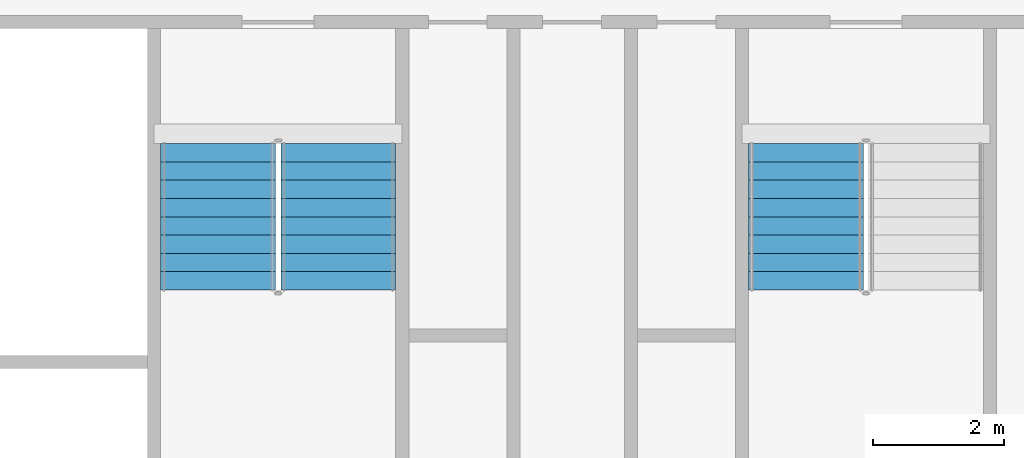
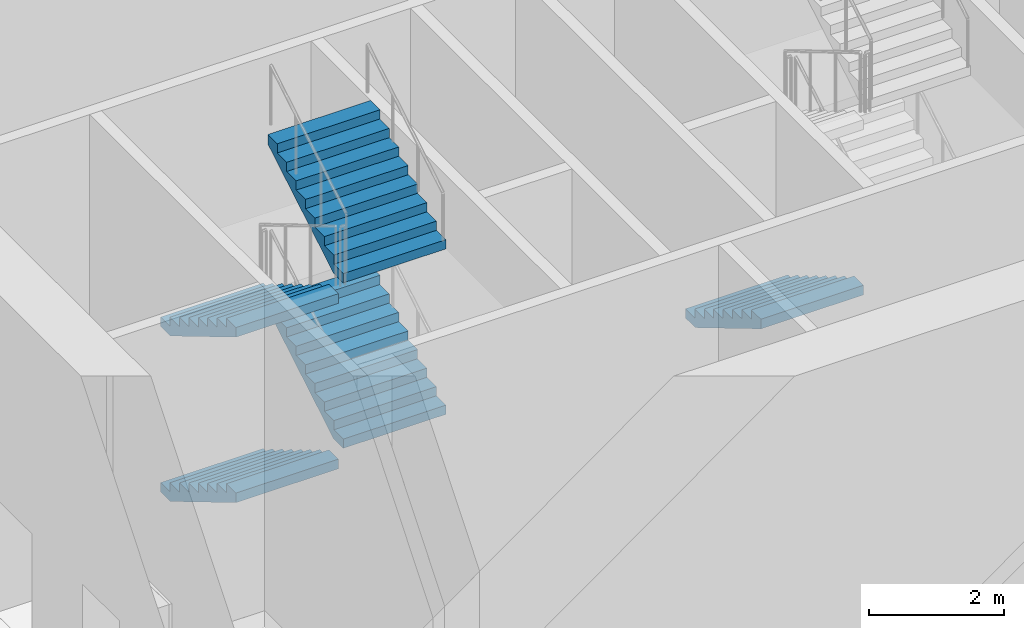
# One storey, part 31 of 48: 5 stair flights, 2 elements without a shape of their own.
"""IFC4 building model written with IfcOpenShell, lengths in metres."""

import ifcopenshell
import ifcopenshell.guid

model = None  # the IFC model being written
_history = None  # IfcOwnerHistory: only IFC2X3 demands one
_inside = {}  # id of a spatial element -> (the spatial element, [elements in it])
_under = {}  # id of a project, library or spatial element -> (it, [spatial elements below it])
_declared = {}  # id of a project -> (the project, [libraries it declares])
_typed = {}  # id of a type object -> (the type object, [elements of that type])
_made_of = {}  # id of a material, layer set ... -> (it, [elements and type objects made of it])


def new_model(schema):
    """Start an empty IFC model of exactly this schema.

    Asked for "IFC4X3", IfcOpenShell would pick the latest addendum, in which some entities
    have other attributes; the version numbers below select the first issue.
    IFC2X3 requires an IfcOwnerHistory on every rooted entity: one is made here for all.
    """
    global model, _history
    if schema == "IFC4X3":
        model = ifcopenshell.file(schema_version=(4, 3, 0, 0))
    else:
        model = ifcopenshell.file(schema=schema)
    _inside.clear()
    _under.clear()
    _declared.clear()
    _typed.clear()
    _made_of.clear()
    _history = None
    if model.schema == "IFC2X3":
        org = make("IfcOrganization", Name="unknown")
        user = make(
            "IfcPersonAndOrganization",
            ThePerson=make("IfcPerson", FamilyName="unknown"),
            TheOrganization=org,
        )
        app = make(
            "IfcApplication",
            ApplicationDeveloper=org,
            Version="unknown",
            ApplicationFullName="unknown",
            ApplicationIdentifier="unknown",
        )
        _history = make(
            "IfcOwnerHistory",
            OwningUser=user,
            OwningApplication=app,
            ChangeAction="ADDED",
            CreationDate=0,
        )
    return model


def make(cls, **values):
    """One entity of the class cls with the attributes given. An attribute that is None is left unset."""
    return model.create_entity(
        cls, **{name: value for name, value in values.items() if value is not None}
    )


def rooted(cls, **values):
    """An entity with a GlobalId (a new one), such as an element, a storey or a relation."""
    return make(cls, GlobalId=ifcopenshell.guid.new(), OwnerHistory=_history, **values)


def si_unit(unit_type, name, prefix=None):
    """IfcSIUnit, for example si_unit("LENGTHUNIT", "METRE", prefix="MILLI")."""
    return make("IfcSIUnit", UnitType=unit_type, Prefix=prefix, Name=name)


def assignment(units):
    """IfcUnitAssignment: the units of a project."""
    return None if units is None else make("IfcUnitAssignment", Units=units)


def point(xyz):
    """IfcCartesianPoint."""
    return None if xyz is None else make("IfcCartesianPoint", Coordinates=xyz)


def direction(xyz):
    """IfcDirection."""
    return None if xyz is None else make("IfcDirection", DirectionRatios=xyz)


def frame(location, z_axis=None, x_axis=None):
    """IfcAxis2Placement3D, a coordinate frame: its origin and axes. An axis left out is left unset."""
    return make(
        "IfcAxis2Placement3D",
        Location=point(location),
        Axis=direction(z_axis),
        RefDirection=direction(x_axis),
    )


def origin():
    """The frame at (0, 0, 0) with its axes left unset."""
    return frame((0.0, 0.0, 0.0))


def place(relative_to, where):
    """IfcLocalPlacement: puts the frame where relative to a parent placement (None: the world)."""
    return make(
        "IfcLocalPlacement", PlacementRelTo=relative_to, RelativePlacement=where
    )


def context(
    kind, dimensions, precision=None, world=None, true_north=None, identifier=None
):
    """IfcGeometricRepresentationContext, for example the 3D "Model" context."""
    return make(
        "IfcGeometricRepresentationContext",
        ContextIdentifier=identifier,
        ContextType=kind,
        CoordinateSpaceDimension=dimensions,
        Precision=precision,
        WorldCoordinateSystem=world,
        TrueNorth=true_north,
    )


def subcontext(parent, identifier, kind, view, scale=None):
    """IfcGeometricRepresentationSubContext, for example "Body" below "Model"."""
    return make(
        "IfcGeometricRepresentationSubContext",
        ContextIdentifier=identifier,
        ContextType=kind,
        ParentContext=parent,
        TargetScale=scale,
        TargetView=view,
    )


def project(units=None, contexts=None):
    """IfcProject with its units and contexts."""
    return rooted(
        "IfcProject",
        Name="project",
        RepresentationContexts=contexts,
        UnitsInContext=assignment(units),
    )


def spatial(cls, under=None, at=None, **own):
    """A site, building, storey or space (cls), placed at a placement, below another one or the project."""
    s = rooted(cls, ObjectPlacement=at, **own)
    if under is not None:
        _under.setdefault(under.id(), (under, []))[1].append(s)
    return s


def faces_of(points, faces, orient=None, outer=None):
    """IfcFace entities. A face is a list of loops; a loop is a list of indices into points, from 0.

    orient and outer hold one flag for each loop. By default every Orientation is true, the
    first loop of a face is its IfcFaceOuterBound and the others are IfcFaceBound.
    """
    made = []
    for i, loops in enumerate(faces):
        bounds = []
        for j, loop in enumerate(loops):
            is_outer = j == 0 if outer is None else outer[i][j]
            bounds.append(
                make(
                    "IfcFaceOuterBound" if is_outer else "IfcFaceBound",
                    Bound=make("IfcPolyLoop", Polygon=[points[k] for k in loop]),
                    Orientation=True if orient is None else orient[i][j],
                )
            )
        made.append(make("IfcFace", Bounds=bounds))
    return made


def faceted_brep(points, faces, orient=None, outer=None, voids=None):
    """IfcFacetedBrep: a solid bounded by flat faces; with voids (closed shells), ...WithVoids."""
    shared = [point(p) for p in points]
    hull = make("IfcClosedShell", CfsFaces=faces_of(shared, faces, orient, outer))
    if voids is None:
        return make("IfcFacetedBrep", Outer=hull)
    return make(
        "IfcFacetedBrepWithVoids",
        Outer=hull,
        Voids=[
            make(cls, CfsFaces=faces_of(shared, fs, o, b)) for cls, fs, o, b in voids
        ],
    )


def shape(context_of_items, identifier, shape_type, items):
    """IfcShapeRepresentation: the items that make up one representation, for example the "Body"."""
    return make(
        "IfcShapeRepresentation",
        ContextOfItems=context_of_items,
        RepresentationIdentifier=identifier,
        RepresentationType=shape_type,
        Items=items,
    )


def material(Name=None, Category=None):
    """IfcMaterial."""
    return make("IfcMaterial", Name=Name, Category=Category)


def made_of(thing, what):
    """Note that an element or type object is made of a material, layer set ...; save() writes the relation."""
    if what is not None:
        _made_of.setdefault(what.id(), (what, []))[1].append(thing)
    return thing


def type_object(cls, material=None, **own):
    """A type object (cls), such as IfcWallType, which elements share."""
    return made_of(rooted(cls, **own), material)


def element(
    cls,
    number,
    at=None,
    inside=None,
    cuts=None,
    type_object=None,
    material=None,
    context=None,
    identifier="Body",
    shape_type=None,
    held_by="IfcProductDefinitionShape",
    body=None,
    shapes=None,
    **own,
):
    """One element of the class cls, such as IfcWall. Its Tag is "e" and its number.

    at: its placement. inside: the storey or other place that contains it. cuts: it is an
    opening in that element (IfcRelVoidsElement). A single representation is given by context,
    identifier, shape_type and body (its items); several are given by shapes. held_by: the class
    of the entity that holds the representations. save() writes the other relations.
    """
    e = rooted(cls, Tag="e%d" % number, ObjectPlacement=at, **own)
    if body is not None:
        shapes = [shape(context, identifier, shape_type, body)]
    if shapes is not None:
        e.Representation = make(held_by, Representations=shapes)
    if inside is not None:
        _inside.setdefault(inside.id(), (inside, []))[1].append(e)
    if cuts is not None:
        rooted(
            "IfcRelVoidsElement", RelatingBuildingElement=cuts, RelatedOpeningElement=e
        )
    if type_object is not None:
        _typed.setdefault(type_object.id(), (type_object, []))[1].append(e)
    return made_of(e, material)


def aggregate(whole, parts):
    """IfcRelAggregates: a whole, such as a stair, and the parts it consists of."""
    return rooted("IfcRelAggregates", RelatingObject=whole, RelatedObjects=parts)


def save(model, path):
    """Write the relations noted so far, then the file.

    IfcRelAggregates (storeys below a building ...), IfcRelContainedInSpatialStructure (elements
    in a storey), IfcRelDefinesByType, IfcRelAssociatesMaterial and IfcRelDeclares: one each for
    every whole, place, type object, material and project.
    """
    for whole, parts in _under.values():
        aggregate(whole, parts)
    for where, things in _inside.values():
        rooted(
            "IfcRelContainedInSpatialStructure",
            RelatedElements=things,
            RelatingStructure=where,
        )
    for kind, things in _typed.values():
        rooted("IfcRelDefinesByType", RelatedObjects=things, RelatingType=kind)
    for what, things in _made_of.values():
        rooted("IfcRelAssociatesMaterial", RelatedObjects=things, RelatingMaterial=what)
    for by, libraries in _declared.values():
        rooted("IfcRelDeclares", RelatingContext=by, RelatedDefinitions=libraries)
    model.write(path)


model = new_model("IFC4")

# Units and contexts
model_context = context("Model", 3, precision=1e-05, world=origin(), true_north=direction((0.0, 1.0)))
body_context = subcontext(model_context, "Body", "Model", "MODEL_VIEW")
ifc_project = project(units=[si_unit("LENGTHUNIT", "METRE"), si_unit("AREAUNIT", "SQUARE_METRE"), si_unit("VOLUMEUNIT", "CUBIC_METRE"), si_unit("PLANEANGLEUNIT", "RADIAN"), si_unit("MASSUNIT", "GRAM", prefix="KILO")], contexts=[model_context])

# Site, building, storey
site_placement = place(None, origin())
site = spatial("IfcSite", under=ifc_project, at=site_placement, CompositionType="ELEMENT")
building_placement = place(site_placement, origin())
building = spatial("IfcBuilding", under=site, at=building_placement, Name="Tarsis Ring Headquarters", CompositionType="ELEMENT")
storey_placement = place(building_placement, frame((0.0, 0.0, 34.0)))
storey = spatial("IfcBuildingStorey", under=building, at=storey_placement, Name="L06", CompositionType="ELEMENT", Elevation=34.0)

# Stair, stair flights
ifc_material_1 = material(Name="Core stair 1760")
stair_type = type_object("IfcStairType", Name="Core stair 1760", PredefinedType="HALF_TURN_STAIR", material=ifc_material_1)
stair_1_placement = place(storey_placement, origin())
stair_1 = element("IfcStair", 1, at=stair_1_placement, inside=storey, type_object=stair_type, Name="L06 Exit stair C", PredefinedType="HALF_TURN_STAIR")
ifc_material_2 = material(Name="Concrete C40/50", Category="concrete")
stair_flight_type = type_object("IfcStairFlightType", Name="Core stair flight 1760", PredefinedType="STRAIGHT", material=ifc_material_2)
stair_flight_1_placement = place(storey_placement, frame((-5.419921875, -3.659912109375, 0.0), z_axis=(0.0, 0.0, 1.0), x_axis=(0.0, -1.0, 0.0)))
stair_flight_1 = element("IfcStairFlight", 2, at=stair_flight_1_placement, type_object=stair_flight_type, Name="Stair ST3 flight 1", NumberOfRisers=9, NumberOfTreads=8, PredefinedType="STRAIGHT", RiserHeight=0.166666667, TreadLength=0.28, context=body_context, shape_type="Brep", body=[
    faceted_brep([(0.0, 0.8798828125, 0.0), (0.0, 0.8798828125, 0.166748046875), (0.280029296875, 0.8798828125, 0.166748046875), (0.280029296875, 0.8798828125, 0.333251953125), (0.56005859375, 0.8798828125, 0.333251953125), (0.56005859375, 0.8798828125, 0.5), (0.840087890625, 0.8798828125, 0.5), (0.840087890625, 0.8798828125, 0.666748046875), (1.1201171875, 0.8798828125, 0.666748046875), (1.1201171875, 0.8798828125, 0.833251953125), (1.39990234375, 0.8798828125, 0.833251953125), (1.39990234375, 0.8798828125, 1.0), (1.679931640625, 0.8798828125, 1.0), (1.679931640625, 0.8798828125, 1.166748046875), (1.9599609375, 0.8798828125, 1.166748046875), (1.9599609375, 0.8798828125, 1.333251953125), (2.239990234375, 0.8798828125, 1.333251953125), (2.239990234375, 0.8798828125, 1.158935546875), (0.29296875, 0.8798828125, 0.0), (0.29296875, -0.8798828125, 0.0), (2.239990234375, -0.8798828125, 1.158935546875), (2.239990234375, -0.8798828125, 1.333251953125), (1.9599609375, -0.8798828125, 1.333251953125), (1.9599609375, -0.8798828125, 1.166748046875), (1.679931640625, -0.8798828125, 1.166748046875), (1.679931640625, -0.8798828125, 1.0), (1.39990234375, -0.8798828125, 1.0), (1.39990234375, -0.8798828125, 0.833251953125), (1.1201171875, -0.8798828125, 0.833251953125), (1.1201171875, -0.8798828125, 0.666748046875), (0.840087890625, -0.8798828125, 0.666748046875), (0.840087890625, -0.8798828125, 0.5), (0.56005859375, -0.8798828125, 0.5), (0.56005859375, -0.8798828125, 0.333251953125), (0.280029296875, -0.8798828125, 0.333251953125), (0.280029296875, -0.8798828125, 0.166748046875), (0.0, -0.8798828125, 0.166748046875), (0.0, -0.8798828125, 0.0), (0.0, -0.43994140625, 0.166748046875), (0.0, -0.43994140625, 0.0), (0.0, 0.0, 0.166748046875), (0.0, 0.0, 0.0), (0.0, 0.43994140625, 0.166748046875), (0.0, 0.43994140625, 0.0), (0.280029296875, -0.43994140625, 0.166748046875), (0.280029296875, 0.0, 0.166748046875), (0.280029296875, 0.43994140625, 0.166748046875), (0.280029296875, -0.43994140625, 0.333251953125), (0.280029296875, 0.0, 0.333251953125), (0.280029296875, 0.43994140625, 0.333251953125), (0.56005859375, -0.43994140625, 0.333251953125), (0.56005859375, 0.0, 0.333251953125), (0.56005859375, 0.43994140625, 0.333251953125), (0.56005859375, -0.43994140625, 0.5), (0.56005859375, 0.0, 0.5), (0.56005859375, 0.43994140625, 0.5), (0.840087890625, -0.43994140625, 0.5), (0.840087890625, 0.0, 0.5), (0.840087890625, 0.43994140625, 0.5), (0.840087890625, -0.43994140625, 0.666748046875), (0.840087890625, 0.0, 0.666748046875), (0.840087890625, 0.43994140625, 0.666748046875), (1.1201171875, -0.43994140625, 0.666748046875), (1.1201171875, 0.0, 0.666748046875), (1.1201171875, 0.43994140625, 0.666748046875), (1.1201171875, -0.43994140625, 0.833251953125), (1.1201171875, 0.0, 0.833251953125), (1.1201171875, 0.43994140625, 0.833251953125), (1.39990234375, -0.43994140625, 0.833251953125), (1.39990234375, 0.0, 0.833251953125), (1.39990234375, 0.43994140625, 0.833251953125), (1.39990234375, -0.43994140625, 1.0), (1.39990234375, 0.0, 1.0), (1.39990234375, 0.43994140625, 1.0), (1.679931640625, -0.43994140625, 1.0), (1.679931640625, 0.0, 1.0), (1.679931640625, 0.43994140625, 1.0), (1.679931640625, -0.43994140625, 1.166748046875), (1.679931640625, 0.0, 1.166748046875), (1.679931640625, 0.43994140625, 1.166748046875), (1.9599609375, -0.43994140625, 1.166748046875), (1.9599609375, 0.0, 1.166748046875), (1.9599609375, 0.43994140625, 1.166748046875), (1.9599609375, -0.43994140625, 1.333251953125), (1.9599609375, 0.0, 1.333251953125), (1.9599609375, 0.43994140625, 1.333251953125), (2.239990234375, -0.43994140625, 1.333251953125), (2.239990234375, 0.0, 1.333251953125), (2.239990234375, 0.43994140625, 1.333251953125), (2.239990234375, -0.43994140625, 1.158935546875), (2.239990234375, 0.0, 1.158935546875), (2.239990234375, 0.43994140625, 1.158935546875), (0.29296875, -0.43994140625, 0.0), (0.29296875, 0.0, 0.0), (0.29296875, 0.43994140625, 0.0)], [[[0, 1, 2, 3, 4, 5, 6, 7, 8, 9, 10, 11, 12, 13, 14, 15, 16, 17, 18]], [[19, 20, 21, 22, 23, 24, 25, 26, 27, 28, 29, 30, 31, 32, 33, 34, 35, 36, 37]], [[37, 36, 38, 39]], [[39, 38, 40, 41]], [[41, 40, 42, 43]], [[43, 42, 1, 0]], [[36, 35, 44, 38]], [[38, 44, 45, 40]], [[40, 45, 46, 42]], [[42, 46, 2, 1]], [[35, 34, 47, 44]], [[44, 47, 48, 45]], [[45, 48, 49, 46]], [[46, 49, 3, 2]], [[34, 33, 50, 47]], [[47, 50, 51, 48]], [[48, 51, 52, 49]], [[49, 52, 4, 3]], [[33, 32, 53, 50]], [[50, 53, 54, 51]], [[51, 54, 55, 52]], [[52, 55, 5, 4]], [[32, 31, 56, 53]], [[53, 56, 57, 54]], [[54, 57, 58, 55]], [[55, 58, 6, 5]], [[31, 30, 59, 56]], [[56, 59, 60, 57]], [[57, 60, 61, 58]], [[58, 61, 7, 6]], [[30, 29, 62, 59]], [[59, 62, 63, 60]], [[60, 63, 64, 61]], [[61, 64, 8, 7]], [[29, 28, 65, 62]], [[62, 65, 66, 63]], [[63, 66, 67, 64]], [[64, 67, 9, 8]], [[28, 27, 68, 65]], [[65, 68, 69, 66]], [[66, 69, 70, 67]], [[67, 70, 10, 9]], [[27, 26, 71, 68]], [[68, 71, 72, 69]], [[69, 72, 73, 70]], [[70, 73, 11, 10]], [[26, 25, 74, 71]], [[71, 74, 75, 72]], [[72, 75, 76, 73]], [[73, 76, 12, 11]], [[25, 24, 77, 74]], [[74, 77, 78, 75]], [[75, 78, 79, 76]], [[76, 79, 13, 12]], [[24, 23, 80, 77]], [[77, 80, 81, 78]], [[78, 81, 82, 79]], [[79, 82, 14, 13]], [[23, 22, 83, 80]], [[80, 83, 84, 81]], [[81, 84, 85, 82]], [[82, 85, 15, 14]], [[22, 21, 86, 83]], [[83, 86, 87, 84]], [[84, 87, 88, 85]], [[85, 88, 16, 15]], [[21, 20, 89, 86]], [[86, 89, 90, 87]], [[87, 90, 91, 88]], [[88, 91, 17, 16]], [[20, 19, 92, 89]], [[89, 92, 93, 90]], [[90, 93, 94, 91]], [[91, 94, 18, 17]], [[19, 37, 39, 92]], [[92, 39, 41, 93]], [[93, 41, 43, 94]], [[94, 43, 0, 18]]]),
])
stair_flight_2_placement = place(storey_placement, frame((-3.580078125, -5.89990234375, 1.5), z_axis=(0.0, 0.0, 1.0), x_axis=(0.0, 1.0, 0.0)))
stair_flight_2 = element("IfcStairFlight", 3, at=stair_flight_2_placement, type_object=stair_flight_type, Name="Stair ST3 flight 2", NumberOfRisers=9, NumberOfTreads=8, PredefinedType="STRAIGHT", RiserHeight=0.166666667, TreadLength=0.28, context=body_context, shape_type="Brep", body=[
    faceted_brep([(0.0, 0.8798828125, 0.0), (0.0, 0.8798828125, 0.166748046875), (0.280029296875, 0.8798828125, 0.166748046875), (0.280029296875, 0.8798828125, 0.333251953125), (0.56005859375, 0.8798828125, 0.333251953125), (0.56005859375, 0.8798828125, 0.5), (0.840087890625, 0.8798828125, 0.5), (0.840087890625, 0.8798828125, 0.666748046875), (1.1201171875, 0.8798828125, 0.666748046875), (1.1201171875, 0.8798828125, 0.833251953125), (1.39990234375, 0.8798828125, 0.833251953125), (1.39990234375, 0.8798828125, 1.0), (1.679931640625, 0.8798828125, 1.0), (1.679931640625, 0.8798828125, 1.166748046875), (1.9599609375, 0.8798828125, 1.166748046875), (1.9599609375, 0.8798828125, 1.333251953125), (2.239990234375, 0.8798828125, 1.333251953125), (2.239990234375, 0.8798828125, 1.158935546875), (0.29296875, 0.8798828125, 0.0), (0.29296875, -0.8798828125, 0.0), (2.239990234375, -0.8798828125, 1.158935546875), (2.239990234375, -0.8798828125, 1.333251953125), (1.9599609375, -0.8798828125, 1.333251953125), (1.9599609375, -0.8798828125, 1.166748046875), (1.679931640625, -0.8798828125, 1.166748046875), (1.679931640625, -0.8798828125, 1.0), (1.39990234375, -0.8798828125, 1.0), (1.39990234375, -0.8798828125, 0.833251953125), (1.1201171875, -0.8798828125, 0.833251953125), (1.1201171875, -0.8798828125, 0.666748046875), (0.840087890625, -0.8798828125, 0.666748046875), (0.840087890625, -0.8798828125, 0.5), (0.56005859375, -0.8798828125, 0.5), (0.56005859375, -0.8798828125, 0.333251953125), (0.280029296875, -0.8798828125, 0.333251953125), (0.280029296875, -0.8798828125, 0.166748046875), (0.0, -0.8798828125, 0.166748046875), (0.0, -0.8798828125, 0.0), (0.0, -0.43994140625, 0.166748046875), (0.0, -0.43994140625, 0.0), (0.0, 0.0, 0.166748046875), (0.0, 0.0, 0.0), (0.0, 0.43994140625, 0.166748046875), (0.0, 0.43994140625, 0.0), (0.280029296875, -0.43994140625, 0.166748046875), (0.280029296875, 0.0, 0.166748046875), (0.280029296875, 0.43994140625, 0.166748046875), (0.280029296875, -0.43994140625, 0.333251953125), (0.280029296875, 0.0, 0.333251953125), (0.280029296875, 0.43994140625, 0.333251953125), (0.56005859375, -0.43994140625, 0.333251953125), (0.56005859375, 0.0, 0.333251953125), (0.56005859375, 0.43994140625, 0.333251953125), (0.56005859375, -0.43994140625, 0.5), (0.56005859375, 0.0, 0.5), (0.56005859375, 0.43994140625, 0.5), (0.840087890625, -0.43994140625, 0.5), (0.840087890625, 0.0, 0.5), (0.840087890625, 0.43994140625, 0.5), (0.840087890625, -0.43994140625, 0.666748046875), (0.840087890625, 0.0, 0.666748046875), (0.840087890625, 0.43994140625, 0.666748046875), (1.1201171875, -0.43994140625, 0.666748046875), (1.1201171875, 0.0, 0.666748046875), (1.1201171875, 0.43994140625, 0.666748046875), (1.1201171875, -0.43994140625, 0.833251953125), (1.1201171875, 0.0, 0.833251953125), (1.1201171875, 0.43994140625, 0.833251953125), (1.39990234375, -0.43994140625, 0.833251953125), (1.39990234375, 0.0, 0.833251953125), (1.39990234375, 0.43994140625, 0.833251953125), (1.39990234375, -0.43994140625, 1.0), (1.39990234375, 0.0, 1.0), (1.39990234375, 0.43994140625, 1.0), (1.679931640625, -0.43994140625, 1.0), (1.679931640625, 0.0, 1.0), (1.679931640625, 0.43994140625, 1.0), (1.679931640625, -0.43994140625, 1.166748046875), (1.679931640625, 0.0, 1.166748046875), (1.679931640625, 0.43994140625, 1.166748046875), (1.9599609375, -0.43994140625, 1.166748046875), (1.9599609375, 0.0, 1.166748046875), (1.9599609375, 0.43994140625, 1.166748046875), (1.9599609375, -0.43994140625, 1.333251953125), (1.9599609375, 0.0, 1.333251953125), (1.9599609375, 0.43994140625, 1.333251953125), (2.239990234375, -0.43994140625, 1.333251953125), (2.239990234375, 0.0, 1.333251953125), (2.239990234375, 0.43994140625, 1.333251953125), (2.239990234375, -0.43994140625, 1.158935546875), (2.239990234375, 0.0, 1.158935546875), (2.239990234375, 0.43994140625, 1.158935546875), (0.29296875, -0.43994140625, 0.0), (0.29296875, 0.0, 0.0), (0.29296875, 0.43994140625, 0.0)], [[[0, 1, 2, 3, 4, 5, 6, 7, 8, 9, 10, 11, 12, 13, 14, 15, 16, 17, 18]], [[19, 20, 21, 22, 23, 24, 25, 26, 27, 28, 29, 30, 31, 32, 33, 34, 35, 36, 37]], [[37, 36, 38, 39]], [[39, 38, 40, 41]], [[41, 40, 42, 43]], [[43, 42, 1, 0]], [[36, 35, 44, 38]], [[38, 44, 45, 40]], [[40, 45, 46, 42]], [[42, 46, 2, 1]], [[35, 34, 47, 44]], [[44, 47, 48, 45]], [[45, 48, 49, 46]], [[46, 49, 3, 2]], [[34, 33, 50, 47]], [[47, 50, 51, 48]], [[48, 51, 52, 49]], [[49, 52, 4, 3]], [[33, 32, 53, 50]], [[50, 53, 54, 51]], [[51, 54, 55, 52]], [[52, 55, 5, 4]], [[32, 31, 56, 53]], [[53, 56, 57, 54]], [[54, 57, 58, 55]], [[55, 58, 6, 5]], [[31, 30, 59, 56]], [[56, 59, 60, 57]], [[57, 60, 61, 58]], [[58, 61, 7, 6]], [[30, 29, 62, 59]], [[59, 62, 63, 60]], [[60, 63, 64, 61]], [[61, 64, 8, 7]], [[29, 28, 65, 62]], [[62, 65, 66, 63]], [[63, 66, 67, 64]], [[64, 67, 9, 8]], [[28, 27, 68, 65]], [[65, 68, 69, 66]], [[66, 69, 70, 67]], [[67, 70, 10, 9]], [[27, 26, 71, 68]], [[68, 71, 72, 69]], [[69, 72, 73, 70]], [[70, 73, 11, 10]], [[26, 25, 74, 71]], [[71, 74, 75, 72]], [[72, 75, 76, 73]], [[73, 76, 12, 11]], [[25, 24, 77, 74]], [[74, 77, 78, 75]], [[75, 78, 79, 76]], [[76, 79, 13, 12]], [[24, 23, 80, 77]], [[77, 80, 81, 78]], [[78, 81, 82, 79]], [[79, 82, 14, 13]], [[23, 22, 83, 80]], [[80, 83, 84, 81]], [[81, 84, 85, 82]], [[82, 85, 15, 14]], [[22, 21, 86, 83]], [[83, 86, 87, 84]], [[84, 87, 88, 85]], [[85, 88, 16, 15]], [[21, 20, 89, 86]], [[86, 89, 90, 87]], [[87, 90, 91, 88]], [[88, 91, 17, 16]], [[20, 19, 92, 89]], [[89, 92, 93, 90]], [[90, 93, 94, 91]], [[91, 94, 18, 17]], [[19, 37, 39, 92]], [[92, 39, 41, 93]], [[93, 41, 43, 94]], [[94, 43, 0, 18]]]),
])
stair_flight_3_placement = place(storey_placement, frame((-5.419921875, -3.659912109375, 3.0), z_axis=(0.0, 0.0, 1.0), x_axis=(0.0, -1.0, 0.0)))
stair_flight_3 = element("IfcStairFlight", 4, at=stair_flight_3_placement, type_object=stair_flight_type, Name="Stair ST3 flight 3", NumberOfRisers=9, NumberOfTreads=8, PredefinedType="STRAIGHT", RiserHeight=0.166666667, TreadLength=0.28, context=body_context, shape_type="Brep", body=[
    faceted_brep([(0.0, 0.8798828125, 0.0), (0.0, 0.8798828125, 0.166748046875), (0.280029296875, 0.8798828125, 0.166748046875), (0.280029296875, 0.8798828125, 0.333251953125), (0.56005859375, 0.8798828125, 0.333251953125), (0.56005859375, 0.8798828125, 0.5), (0.840087890625, 0.8798828125, 0.5), (0.840087890625, 0.8798828125, 0.666748046875), (1.1201171875, 0.8798828125, 0.666748046875), (1.1201171875, 0.8798828125, 0.833251953125), (1.39990234375, 0.8798828125, 0.833251953125), (1.39990234375, 0.8798828125, 1.0), (1.679931640625, 0.8798828125, 1.0), (1.679931640625, 0.8798828125, 1.166748046875), (1.9599609375, 0.8798828125, 1.166748046875), (1.9599609375, 0.8798828125, 1.333251953125), (2.239990234375, 0.8798828125, 1.333251953125), (2.239990234375, 0.8798828125, 1.158935546875), (0.29296875, 0.8798828125, 0.0), (0.29296875, -0.8798828125, 0.0), (2.239990234375, -0.8798828125, 1.158935546875), (2.239990234375, -0.8798828125, 1.333251953125), (1.9599609375, -0.8798828125, 1.333251953125), (1.9599609375, -0.8798828125, 1.166748046875), (1.679931640625, -0.8798828125, 1.166748046875), (1.679931640625, -0.8798828125, 1.0), (1.39990234375, -0.8798828125, 1.0), (1.39990234375, -0.8798828125, 0.833251953125), (1.1201171875, -0.8798828125, 0.833251953125), (1.1201171875, -0.8798828125, 0.666748046875), (0.840087890625, -0.8798828125, 0.666748046875), (0.840087890625, -0.8798828125, 0.5), (0.56005859375, -0.8798828125, 0.5), (0.56005859375, -0.8798828125, 0.333251953125), (0.280029296875, -0.8798828125, 0.333251953125), (0.280029296875, -0.8798828125, 0.166748046875), (0.0, -0.8798828125, 0.166748046875), (0.0, -0.8798828125, 0.0), (0.0, -0.43994140625, 0.166748046875), (0.0, -0.43994140625, 0.0), (0.0, 0.0, 0.166748046875), (0.0, 0.0, 0.0), (0.0, 0.43994140625, 0.166748046875), (0.0, 0.43994140625, 0.0), (0.280029296875, -0.43994140625, 0.166748046875), (0.280029296875, 0.0, 0.166748046875), (0.280029296875, 0.43994140625, 0.166748046875), (0.280029296875, -0.43994140625, 0.333251953125), (0.280029296875, 0.0, 0.333251953125), (0.280029296875, 0.43994140625, 0.333251953125), (0.56005859375, -0.43994140625, 0.333251953125), (0.56005859375, 0.0, 0.333251953125), (0.56005859375, 0.43994140625, 0.333251953125), (0.56005859375, -0.43994140625, 0.5), (0.56005859375, 0.0, 0.5), (0.56005859375, 0.43994140625, 0.5), (0.840087890625, -0.43994140625, 0.5), (0.840087890625, 0.0, 0.5), (0.840087890625, 0.43994140625, 0.5), (0.840087890625, -0.43994140625, 0.666748046875), (0.840087890625, 0.0, 0.666748046875), (0.840087890625, 0.43994140625, 0.666748046875), (1.1201171875, -0.43994140625, 0.666748046875), (1.1201171875, 0.0, 0.666748046875), (1.1201171875, 0.43994140625, 0.666748046875), (1.1201171875, -0.43994140625, 0.833251953125), (1.1201171875, 0.0, 0.833251953125), (1.1201171875, 0.43994140625, 0.833251953125), (1.39990234375, -0.43994140625, 0.833251953125), (1.39990234375, 0.0, 0.833251953125), (1.39990234375, 0.43994140625, 0.833251953125), (1.39990234375, -0.43994140625, 1.0), (1.39990234375, 0.0, 1.0), (1.39990234375, 0.43994140625, 1.0), (1.679931640625, -0.43994140625, 1.0), (1.679931640625, 0.0, 1.0), (1.679931640625, 0.43994140625, 1.0), (1.679931640625, -0.43994140625, 1.166748046875), (1.679931640625, 0.0, 1.166748046875), (1.679931640625, 0.43994140625, 1.166748046875), (1.9599609375, -0.43994140625, 1.166748046875), (1.9599609375, 0.0, 1.166748046875), (1.9599609375, 0.43994140625, 1.166748046875), (1.9599609375, -0.43994140625, 1.333251953125), (1.9599609375, 0.0, 1.333251953125), (1.9599609375, 0.43994140625, 1.333251953125), (2.239990234375, -0.43994140625, 1.333251953125), (2.239990234375, 0.0, 1.333251953125), (2.239990234375, 0.43994140625, 1.333251953125), (2.239990234375, -0.43994140625, 1.158935546875), (2.239990234375, 0.0, 1.158935546875), (2.239990234375, 0.43994140625, 1.158935546875), (0.29296875, -0.43994140625, 0.0), (0.29296875, 0.0, 0.0), (0.29296875, 0.43994140625, 0.0)], [[[0, 1, 2, 3, 4, 5, 6, 7, 8, 9, 10, 11, 12, 13, 14, 15, 16, 17, 18]], [[19, 20, 21, 22, 23, 24, 25, 26, 27, 28, 29, 30, 31, 32, 33, 34, 35, 36, 37]], [[37, 36, 38, 39]], [[39, 38, 40, 41]], [[41, 40, 42, 43]], [[43, 42, 1, 0]], [[36, 35, 44, 38]], [[38, 44, 45, 40]], [[40, 45, 46, 42]], [[42, 46, 2, 1]], [[35, 34, 47, 44]], [[44, 47, 48, 45]], [[45, 48, 49, 46]], [[46, 49, 3, 2]], [[34, 33, 50, 47]], [[47, 50, 51, 48]], [[48, 51, 52, 49]], [[49, 52, 4, 3]], [[33, 32, 53, 50]], [[50, 53, 54, 51]], [[51, 54, 55, 52]], [[52, 55, 5, 4]], [[32, 31, 56, 53]], [[53, 56, 57, 54]], [[54, 57, 58, 55]], [[55, 58, 6, 5]], [[31, 30, 59, 56]], [[56, 59, 60, 57]], [[57, 60, 61, 58]], [[58, 61, 7, 6]], [[30, 29, 62, 59]], [[59, 62, 63, 60]], [[60, 63, 64, 61]], [[61, 64, 8, 7]], [[29, 28, 65, 62]], [[62, 65, 66, 63]], [[63, 66, 67, 64]], [[64, 67, 9, 8]], [[28, 27, 68, 65]], [[65, 68, 69, 66]], [[66, 69, 70, 67]], [[67, 70, 10, 9]], [[27, 26, 71, 68]], [[68, 71, 72, 69]], [[69, 72, 73, 70]], [[70, 73, 11, 10]], [[26, 25, 74, 71]], [[71, 74, 75, 72]], [[72, 75, 76, 73]], [[73, 76, 12, 11]], [[25, 24, 77, 74]], [[74, 77, 78, 75]], [[75, 78, 79, 76]], [[76, 79, 13, 12]], [[24, 23, 80, 77]], [[77, 80, 81, 78]], [[78, 81, 82, 79]], [[79, 82, 14, 13]], [[23, 22, 83, 80]], [[80, 83, 84, 81]], [[81, 84, 85, 82]], [[82, 85, 15, 14]], [[22, 21, 86, 83]], [[83, 86, 87, 84]], [[84, 87, 88, 85]], [[85, 88, 16, 15]], [[21, 20, 89, 86]], [[86, 89, 90, 87]], [[87, 90, 91, 88]], [[88, 91, 17, 16]], [[20, 19, 92, 89]], [[89, 92, 93, 90]], [[90, 93, 94, 91]], [[91, 94, 18, 17]], [[19, 37, 39, 92]], [[92, 39, 41, 93]], [[93, 41, 43, 94]], [[94, 43, 0, 18]]]),
])
stair_flight_4_placement = place(storey_placement, frame((-3.580078125, -5.89990234375, 4.5), z_axis=(0.0, 0.0, 1.0), x_axis=(0.0, 1.0, 0.0)))
stair_flight_4 = element("IfcStairFlight", 5, at=stair_flight_4_placement, type_object=stair_flight_type, Name="Stair ST3 flight 4", NumberOfRisers=9, NumberOfTreads=8, PredefinedType="STRAIGHT", RiserHeight=0.166666667, TreadLength=0.28, context=body_context, shape_type="Brep", body=[
    faceted_brep([(0.0, 0.8798828125, 0.0), (0.0, 0.8798828125, 0.166748046875), (0.280029296875, 0.8798828125, 0.166748046875), (0.280029296875, 0.8798828125, 0.333251953125), (0.56005859375, 0.8798828125, 0.333251953125), (0.56005859375, 0.8798828125, 0.5), (0.840087890625, 0.8798828125, 0.5), (0.840087890625, 0.8798828125, 0.666748046875), (1.1201171875, 0.8798828125, 0.666748046875), (1.1201171875, 0.8798828125, 0.833251953125), (1.39990234375, 0.8798828125, 0.833251953125), (1.39990234375, 0.8798828125, 1.0), (1.679931640625, 0.8798828125, 1.0), (1.679931640625, 0.8798828125, 1.166748046875), (1.9599609375, 0.8798828125, 1.166748046875), (1.9599609375, 0.8798828125, 1.333251953125), (2.239990234375, 0.8798828125, 1.333251953125), (2.239990234375, 0.8798828125, 1.158935546875), (0.29296875, 0.8798828125, 0.0), (0.29296875, -0.8798828125, 0.0), (2.239990234375, -0.8798828125, 1.158935546875), (2.239990234375, -0.8798828125, 1.333251953125), (1.9599609375, -0.8798828125, 1.333251953125), (1.9599609375, -0.8798828125, 1.166748046875), (1.679931640625, -0.8798828125, 1.166748046875), (1.679931640625, -0.8798828125, 1.0), (1.39990234375, -0.8798828125, 1.0), (1.39990234375, -0.8798828125, 0.833251953125), (1.1201171875, -0.8798828125, 0.833251953125), (1.1201171875, -0.8798828125, 0.666748046875), (0.840087890625, -0.8798828125, 0.666748046875), (0.840087890625, -0.8798828125, 0.5), (0.56005859375, -0.8798828125, 0.5), (0.56005859375, -0.8798828125, 0.333251953125), (0.280029296875, -0.8798828125, 0.333251953125), (0.280029296875, -0.8798828125, 0.166748046875), (0.0, -0.8798828125, 0.166748046875), (0.0, -0.8798828125, 0.0), (0.0, -0.43994140625, 0.166748046875), (0.0, -0.43994140625, 0.0), (0.0, 0.0, 0.166748046875), (0.0, 0.0, 0.0), (0.0, 0.43994140625, 0.166748046875), (0.0, 0.43994140625, 0.0), (0.280029296875, -0.43994140625, 0.166748046875), (0.280029296875, 0.0, 0.166748046875), (0.280029296875, 0.43994140625, 0.166748046875), (0.280029296875, -0.43994140625, 0.333251953125), (0.280029296875, 0.0, 0.333251953125), (0.280029296875, 0.43994140625, 0.333251953125), (0.56005859375, -0.43994140625, 0.333251953125), (0.56005859375, 0.0, 0.333251953125), (0.56005859375, 0.43994140625, 0.333251953125), (0.56005859375, -0.43994140625, 0.5), (0.56005859375, 0.0, 0.5), (0.56005859375, 0.43994140625, 0.5), (0.840087890625, -0.43994140625, 0.5), (0.840087890625, 0.0, 0.5), (0.840087890625, 0.43994140625, 0.5), (0.840087890625, -0.43994140625, 0.666748046875), (0.840087890625, 0.0, 0.666748046875), (0.840087890625, 0.43994140625, 0.666748046875), (1.1201171875, -0.43994140625, 0.666748046875), (1.1201171875, 0.0, 0.666748046875), (1.1201171875, 0.43994140625, 0.666748046875), (1.1201171875, -0.43994140625, 0.833251953125), (1.1201171875, 0.0, 0.833251953125), (1.1201171875, 0.43994140625, 0.833251953125), (1.39990234375, -0.43994140625, 0.833251953125), (1.39990234375, 0.0, 0.833251953125), (1.39990234375, 0.43994140625, 0.833251953125), (1.39990234375, -0.43994140625, 1.0), (1.39990234375, 0.0, 1.0), (1.39990234375, 0.43994140625, 1.0), (1.679931640625, -0.43994140625, 1.0), (1.679931640625, 0.0, 1.0), (1.679931640625, 0.43994140625, 1.0), (1.679931640625, -0.43994140625, 1.166748046875), (1.679931640625, 0.0, 1.166748046875), (1.679931640625, 0.43994140625, 1.166748046875), (1.9599609375, -0.43994140625, 1.166748046875), (1.9599609375, 0.0, 1.166748046875), (1.9599609375, 0.43994140625, 1.166748046875), (1.9599609375, -0.43994140625, 1.333251953125), (1.9599609375, 0.0, 1.333251953125), (1.9599609375, 0.43994140625, 1.333251953125), (2.239990234375, -0.43994140625, 1.333251953125), (2.239990234375, 0.0, 1.333251953125), (2.239990234375, 0.43994140625, 1.333251953125), (2.239990234375, -0.43994140625, 1.158935546875), (2.239990234375, 0.0, 1.158935546875), (2.239990234375, 0.43994140625, 1.158935546875), (0.29296875, -0.43994140625, 0.0), (0.29296875, 0.0, 0.0), (0.29296875, 0.43994140625, 0.0)], [[[0, 1, 2, 3, 4, 5, 6, 7, 8, 9, 10, 11, 12, 13, 14, 15, 16, 17, 18]], [[19, 20, 21, 22, 23, 24, 25, 26, 27, 28, 29, 30, 31, 32, 33, 34, 35, 36, 37]], [[37, 36, 38, 39]], [[39, 38, 40, 41]], [[41, 40, 42, 43]], [[43, 42, 1, 0]], [[36, 35, 44, 38]], [[38, 44, 45, 40]], [[40, 45, 46, 42]], [[42, 46, 2, 1]], [[35, 34, 47, 44]], [[44, 47, 48, 45]], [[45, 48, 49, 46]], [[46, 49, 3, 2]], [[34, 33, 50, 47]], [[47, 50, 51, 48]], [[48, 51, 52, 49]], [[49, 52, 4, 3]], [[33, 32, 53, 50]], [[50, 53, 54, 51]], [[51, 54, 55, 52]], [[52, 55, 5, 4]], [[32, 31, 56, 53]], [[53, 56, 57, 54]], [[54, 57, 58, 55]], [[55, 58, 6, 5]], [[31, 30, 59, 56]], [[56, 59, 60, 57]], [[57, 60, 61, 58]], [[58, 61, 7, 6]], [[30, 29, 62, 59]], [[59, 62, 63, 60]], [[60, 63, 64, 61]], [[61, 64, 8, 7]], [[29, 28, 65, 62]], [[62, 65, 66, 63]], [[63, 66, 67, 64]], [[64, 67, 9, 8]], [[28, 27, 68, 65]], [[65, 68, 69, 66]], [[66, 69, 70, 67]], [[67, 70, 10, 9]], [[27, 26, 71, 68]], [[68, 71, 72, 69]], [[69, 72, 73, 70]], [[70, 73, 11, 10]], [[26, 25, 74, 71]], [[71, 74, 75, 72]], [[72, 75, 76, 73]], [[73, 76, 12, 11]], [[25, 24, 77, 74]], [[74, 77, 78, 75]], [[75, 78, 79, 76]], [[76, 79, 13, 12]], [[24, 23, 80, 77]], [[77, 80, 81, 78]], [[78, 81, 82, 79]], [[79, 82, 14, 13]], [[23, 22, 83, 80]], [[80, 83, 84, 81]], [[81, 84, 85, 82]], [[82, 85, 15, 14]], [[22, 21, 86, 83]], [[83, 86, 87, 84]], [[84, 87, 88, 85]], [[85, 88, 16, 15]], [[21, 20, 89, 86]], [[86, 89, 90, 87]], [[87, 90, 91, 88]], [[88, 91, 17, 16]], [[20, 19, 92, 89]], [[89, 92, 93, 90]], [[90, 93, 94, 91]], [[91, 94, 18, 17]], [[19, 37, 39, 92]], [[92, 39, 41, 93]], [[93, 41, 43, 94]], [[94, 43, 0, 18]]]),
])
aggregate(stair_1, [stair_flight_1, stair_flight_2, stair_flight_3, stair_flight_4])

# Stair, stair flight
stair_2_placement = place(storey_placement, origin())
stair_2 = element("IfcStair", 6, at=stair_2_placement, inside=storey, type_object=stair_type, Name="L06 Exit stair D", PredefinedType="HALF_TURN_STAIR")
stair_flight_5_placement = place(storey_placement, frame((3.580078125, -3.659912109375, 0.0), z_axis=(0.0, 0.0, 1.0), x_axis=(0.0, -1.0, 0.0)))
stair_flight_5 = element("IfcStairFlight", 7, at=stair_flight_5_placement, type_object=stair_flight_type, Name="Stair ST4 flight 1", NumberOfRisers=9, NumberOfTreads=8, PredefinedType="STRAIGHT", RiserHeight=0.166666667, TreadLength=0.28, context=body_context, shape_type="Brep", body=[
    faceted_brep([(0.0, 0.8798828125, 0.0), (0.0, 0.8798828125, 0.166748046875), (0.280029296875, 0.8798828125, 0.166748046875), (0.280029296875, 0.8798828125, 0.333251953125), (0.56005859375, 0.8798828125, 0.333251953125), (0.56005859375, 0.8798828125, 0.5), (0.840087890625, 0.8798828125, 0.5), (0.840087890625, 0.8798828125, 0.666748046875), (1.1201171875, 0.8798828125, 0.666748046875), (1.1201171875, 0.8798828125, 0.833251953125), (1.39990234375, 0.8798828125, 0.833251953125), (1.39990234375, 0.8798828125, 1.0), (1.679931640625, 0.8798828125, 1.0), (1.679931640625, 0.8798828125, 1.166748046875), (1.9599609375, 0.8798828125, 1.166748046875), (1.9599609375, 0.8798828125, 1.333251953125), (2.239990234375, 0.8798828125, 1.333251953125), (2.239990234375, 0.8798828125, 1.158935546875), (0.29296875, 0.8798828125, 0.0), (0.29296875, -0.8798828125, 0.0), (2.239990234375, -0.8798828125, 1.158935546875), (2.239990234375, -0.8798828125, 1.333251953125), (1.9599609375, -0.8798828125, 1.333251953125), (1.9599609375, -0.8798828125, 1.166748046875), (1.679931640625, -0.8798828125, 1.166748046875), (1.679931640625, -0.8798828125, 1.0), (1.39990234375, -0.8798828125, 1.0), (1.39990234375, -0.8798828125, 0.833251953125), (1.1201171875, -0.8798828125, 0.833251953125), (1.1201171875, -0.8798828125, 0.666748046875), (0.840087890625, -0.8798828125, 0.666748046875), (0.840087890625, -0.8798828125, 0.5), (0.56005859375, -0.8798828125, 0.5), (0.56005859375, -0.8798828125, 0.333251953125), (0.280029296875, -0.8798828125, 0.333251953125), (0.280029296875, -0.8798828125, 0.166748046875), (0.0, -0.8798828125, 0.166748046875), (0.0, -0.8798828125, 0.0), (0.0, -0.43994140625, 0.166748046875), (0.0, -0.43994140625, 0.0), (0.0, 0.0, 0.166748046875), (0.0, 0.0, 0.0), (0.0, 0.43994140625, 0.166748046875), (0.0, 0.43994140625, 0.0), (0.280029296875, -0.43994140625, 0.166748046875), (0.280029296875, 0.0, 0.166748046875), (0.280029296875, 0.43994140625, 0.166748046875), (0.280029296875, -0.43994140625, 0.333251953125), (0.280029296875, 0.0, 0.333251953125), (0.280029296875, 0.43994140625, 0.333251953125), (0.56005859375, -0.43994140625, 0.333251953125), (0.56005859375, 0.0, 0.333251953125), (0.56005859375, 0.43994140625, 0.333251953125), (0.56005859375, -0.43994140625, 0.5), (0.56005859375, 0.0, 0.5), (0.56005859375, 0.43994140625, 0.5), (0.840087890625, -0.43994140625, 0.5), (0.840087890625, 0.0, 0.5), (0.840087890625, 0.43994140625, 0.5), (0.840087890625, -0.43994140625, 0.666748046875), (0.840087890625, 0.0, 0.666748046875), (0.840087890625, 0.43994140625, 0.666748046875), (1.1201171875, -0.43994140625, 0.666748046875), (1.1201171875, 0.0, 0.666748046875), (1.1201171875, 0.43994140625, 0.666748046875), (1.1201171875, -0.43994140625, 0.833251953125), (1.1201171875, 0.0, 0.833251953125), (1.1201171875, 0.43994140625, 0.833251953125), (1.39990234375, -0.43994140625, 0.833251953125), (1.39990234375, 0.0, 0.833251953125), (1.39990234375, 0.43994140625, 0.833251953125), (1.39990234375, -0.43994140625, 1.0), (1.39990234375, 0.0, 1.0), (1.39990234375, 0.43994140625, 1.0), (1.679931640625, -0.43994140625, 1.0), (1.679931640625, 0.0, 1.0), (1.679931640625, 0.43994140625, 1.0), (1.679931640625, -0.43994140625, 1.166748046875), (1.679931640625, 0.0, 1.166748046875), (1.679931640625, 0.43994140625, 1.166748046875), (1.9599609375, -0.43994140625, 1.166748046875), (1.9599609375, 0.0, 1.166748046875), (1.9599609375, 0.43994140625, 1.166748046875), (1.9599609375, -0.43994140625, 1.333251953125), (1.9599609375, 0.0, 1.333251953125), (1.9599609375, 0.43994140625, 1.333251953125), (2.239990234375, -0.43994140625, 1.333251953125), (2.239990234375, 0.0, 1.333251953125), (2.239990234375, 0.43994140625, 1.333251953125), (2.239990234375, -0.43994140625, 1.158935546875), (2.239990234375, 0.0, 1.158935546875), (2.239990234375, 0.43994140625, 1.158935546875), (0.29296875, -0.43994140625, 0.0), (0.29296875, 0.0, 0.0), (0.29296875, 0.43994140625, 0.0)], [[[0, 1, 2, 3, 4, 5, 6, 7, 8, 9, 10, 11, 12, 13, 14, 15, 16, 17, 18]], [[19, 20, 21, 22, 23, 24, 25, 26, 27, 28, 29, 30, 31, 32, 33, 34, 35, 36, 37]], [[37, 36, 38, 39]], [[39, 38, 40, 41]], [[41, 40, 42, 43]], [[43, 42, 1, 0]], [[36, 35, 44, 38]], [[38, 44, 45, 40]], [[40, 45, 46, 42]], [[42, 46, 2, 1]], [[35, 34, 47, 44]], [[44, 47, 48, 45]], [[45, 48, 49, 46]], [[46, 49, 3, 2]], [[34, 33, 50, 47]], [[47, 50, 51, 48]], [[48, 51, 52, 49]], [[49, 52, 4, 3]], [[33, 32, 53, 50]], [[50, 53, 54, 51]], [[51, 54, 55, 52]], [[52, 55, 5, 4]], [[32, 31, 56, 53]], [[53, 56, 57, 54]], [[54, 57, 58, 55]], [[55, 58, 6, 5]], [[31, 30, 59, 56]], [[56, 59, 60, 57]], [[57, 60, 61, 58]], [[58, 61, 7, 6]], [[30, 29, 62, 59]], [[59, 62, 63, 60]], [[60, 63, 64, 61]], [[61, 64, 8, 7]], [[29, 28, 65, 62]], [[62, 65, 66, 63]], [[63, 66, 67, 64]], [[64, 67, 9, 8]], [[28, 27, 68, 65]], [[65, 68, 69, 66]], [[66, 69, 70, 67]], [[67, 70, 10, 9]], [[27, 26, 71, 68]], [[68, 71, 72, 69]], [[69, 72, 73, 70]], [[70, 73, 11, 10]], [[26, 25, 74, 71]], [[71, 74, 75, 72]], [[72, 75, 76, 73]], [[73, 76, 12, 11]], [[25, 24, 77, 74]], [[74, 77, 78, 75]], [[75, 78, 79, 76]], [[76, 79, 13, 12]], [[24, 23, 80, 77]], [[77, 80, 81, 78]], [[78, 81, 82, 79]], [[79, 82, 14, 13]], [[23, 22, 83, 80]], [[80, 83, 84, 81]], [[81, 84, 85, 82]], [[82, 85, 15, 14]], [[22, 21, 86, 83]], [[83, 86, 87, 84]], [[84, 87, 88, 85]], [[85, 88, 16, 15]], [[21, 20, 89, 86]], [[86, 89, 90, 87]], [[87, 90, 91, 88]], [[88, 91, 17, 16]], [[20, 19, 92, 89]], [[89, 92, 93, 90]], [[90, 93, 94, 91]], [[91, 94, 18, 17]], [[19, 37, 39, 92]], [[92, 39, 41, 93]], [[93, 41, 43, 94]], [[94, 43, 0, 18]]]),
])
aggregate(stair_2, [stair_flight_5])

save(model, "model.ifc")
